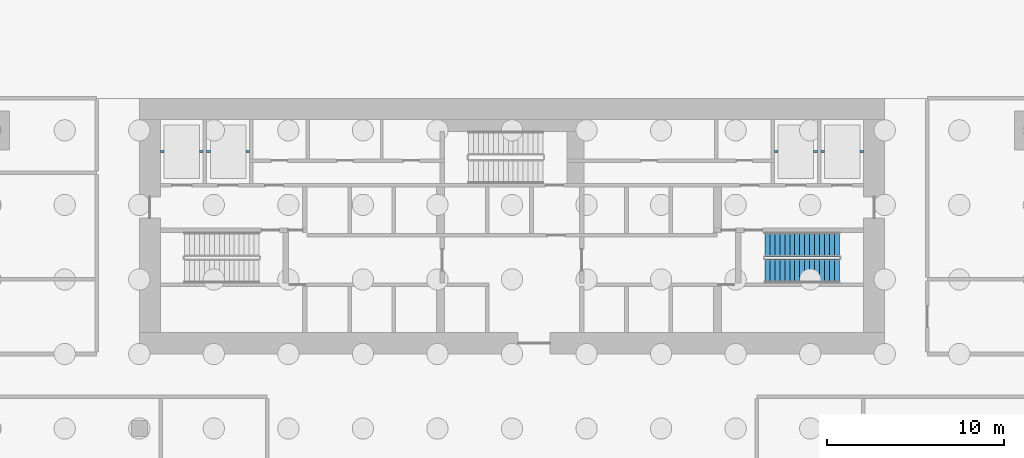
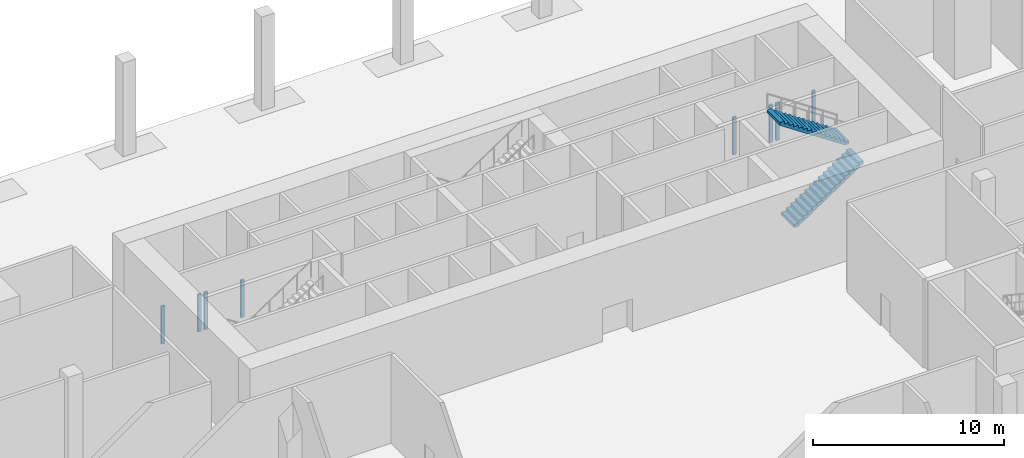
# One storey, part 12 of 16: 8 discrete accessories, 2 stair flights, 1 element without a shape of its own.
"""IFC4 building model written with IfcOpenShell, lengths in metres."""

from ifc_helpers import new_model, si_unit, direction, frame, origin, origin_2d, place, context, subcontext, project, spatial, polyline, rectangle, outline, extrude, material, type_object, element, aggregate, save


model = new_model("IFC4")

# Units and contexts
model_context = context("Model", 3, precision=1e-05, world=origin(), true_north=direction((0.0, 1.0)))
body_context = subcontext(model_context, "Body", "Model", "MODEL_VIEW")
ifc_project = project(units=[si_unit("LENGTHUNIT", "METRE"), si_unit("AREAUNIT", "SQUARE_METRE"), si_unit("VOLUMEUNIT", "CUBIC_METRE"), si_unit("PLANEANGLEUNIT", "RADIAN"), si_unit("MASSUNIT", "GRAM", prefix="KILO")], contexts=[model_context])

# Site, building, storey
site_placement = place(None, origin())
site = spatial("IfcSite", under=ifc_project, at=site_placement, CompositionType="ELEMENT")
building_placement = place(site_placement, origin())
building = spatial("IfcBuilding", under=site, at=building_placement, Name="Saffron Gate Tower", CompositionType="ELEMENT")
storey_placement = place(building_placement, frame((0.0, 0.0, -6.0)))
storey = spatial("IfcBuildingStorey", under=building, at=storey_placement, Name="B1", CompositionType="ELEMENT", Elevation=-6.0)

# Stair, stair flights
ifc_material = material(Name="Concrete C40", Category="concrete")
stair_type = type_object("IfcStairType", Name="ST2 Stair 1350 wide, 32 risers of 188", PredefinedType="HALF_TURN_STAIR", material=ifc_material)
stair_placement = place(storey_placement, origin())
stair = element("IfcStair", 1, at=stair_placement, inside=storey, type_object=stair_type, Name="B1 Exit stair B", PredefinedType="HALF_TURN_STAIR")
stair_flight_type = type_object("IfcStairFlightType", Name="SF2 Stair flight 1350 wide, riser 188 going 280", PredefinedType="STRAIGHT", material=ifc_material)
stair_flight_1_placement = place(storey_placement, frame((101.85009765625, 65.875, 0.0), z_axis=(0.0, 0.0, 1.0), x_axis=(1.0, 0.0, 0.0)))
stair_flight_1 = element("IfcStairFlight", 2, at=stair_flight_1_placement, type_object=stair_flight_type, Name="ST-B flight 1", NumberOfRisers=16, NumberOfTreads=15, PredefinedType="STRAIGHT", RiserHeight=0.1875, TreadLength=0.28, context=body_context, shape_type="SweptSolid", body=[
    extrude(outline(polyline([(0.0, 0.0), (0.0, 0.1875), (0.280029296875, 0.1875), (0.280029296875, 0.375), (0.56005859375, 0.375), (0.56005859375, 0.5625), (0.840087890625, 0.5625), (0.840087890625, 0.75), (1.1201171875, 0.75), (1.1201171875, 0.9375), (1.39990234375, 0.9375), (1.39990234375, 1.125), (1.679931640625, 1.125), (1.679931640625, 1.3125), (1.9599609375, 1.3125), (1.9599609375, 1.5), (2.239990234375, 1.5), (2.239990234375, 1.6875), (2.52001953125, 1.6875), (2.52001953125, 1.875), (2.800048828125, 1.875), (2.800048828125, 2.0625), (3.080078125, 2.0625), (3.080078125, 2.25), (3.360107421875, 2.25), (3.360107421875, 2.4375), (3.639892578125, 2.4375), (3.639892578125, 2.625), (3.919921875, 2.625), (3.919921875, 2.8125), (4.199951171875, 2.8125), (4.199951171875, 3.0), (4.199951171875, 2.632080078125), (0.26953125, 0.0), (0.0, 0.0)])), frame((0.0, 0.675048828125, 0.0), z_axis=(0.0, -1.0, 0.0), x_axis=(1.0, 0.0, 0.0)), (0.0, 0.0, 1.0), 1.35009765625),
])
stair_flight_2_placement = place(storey_placement, frame((106.050048828125, 67.375, 3.0), z_axis=(0.0, 0.0, 1.0), x_axis=(-1.0, 0.0, 0.0)))
stair_flight_2 = element("IfcStairFlight", 3, at=stair_flight_2_placement, type_object=stair_flight_type, Name="ST-B flight 2", NumberOfRisers=16, NumberOfTreads=15, PredefinedType="STRAIGHT", RiserHeight=0.1875, TreadLength=0.28, context=body_context, shape_type="SweptSolid", body=[
    extrude(outline(polyline([(0.0, 0.0), (0.0, 0.1875), (0.280029296875, 0.1875), (0.280029296875, 0.375), (0.56005859375, 0.375), (0.56005859375, 0.5625), (0.840087890625, 0.5625), (0.840087890625, 0.75), (1.1201171875, 0.75), (1.1201171875, 0.9375), (1.39990234375, 0.9375), (1.39990234375, 1.125), (1.679931640625, 1.125), (1.679931640625, 1.3125), (1.9599609375, 1.3125), (1.9599609375, 1.5), (2.239990234375, 1.5), (2.239990234375, 1.6875), (2.52001953125, 1.6875), (2.52001953125, 1.875), (2.800048828125, 1.875), (2.800048828125, 2.0625), (3.080078125, 2.0625), (3.080078125, 2.25), (3.360107421875, 2.25), (3.360107421875, 2.4375), (3.639892578125, 2.4375), (3.639892578125, 2.625), (3.919921875, 2.625), (3.919921875, 2.8125), (4.199951171875, 2.8125), (4.199951171875, 3.0), (4.199951171875, 2.632080078125), (0.26953125, 0.0), (0.0, 0.0)])), frame((0.0, 0.675048828125, 0.0), z_axis=(0.0, -1.0, 0.0), x_axis=(1.0, 0.0, 0.0)), (0.0, 0.0, 1.0), 1.35009765625),
])
aggregate(stair, [stair_flight_1, stair_flight_2])

# Discrete accessories
for number, where, z_axis, x_axis, name in (
    (4, (67.89990234375, 72.60009765625, 0.0), (0.0, 0.0, 1.0), (1.0, 0.0, 0.0), "FF1 guide rail bracket"),
    (5, (70.10009765625, 72.60009765625, 0.0), (0.0, 0.0, 1.0), (1.0, 0.0, 0.0), "FF1 guide rail bracket"),
    (6, (105.10009765625, 72.60009765625, 0.0), (0.0, 0.0, 1.0), (1.0, 0.0, 0.0), "FF2 guide rail bracket"),
    (7, (107.300048828125, 72.60009765625, 0.0), (0.0, 0.0, 1.0), (1.0, 0.0, 0.0), "FF2 guide rail bracket"),
    (8, (70.5, 72.60009765625, 0.0), (0.0, 0.0, 1.0), (1.0, 0.0, 0.0), "SV1 guide rail bracket"),
    (9, (72.699951171875, 72.60009765625, 0.0), (0.0, 0.0, 1.0), (1.0, 0.0, 0.0), "SV1 guide rail bracket"),
    (10, (102.5, 72.60009765625, 0.0), (0.0, 0.0, 1.0), (1.0, 0.0, 0.0), "SV2 guide rail bracket"),
    (11, (104.699951171875, 72.60009765625, 0.0), (0.0, 0.0, 1.0), (1.0, 0.0, 0.0), "SV2 guide rail bracket"),
):
    element("IfcDiscreteAccessory", number, at=place(storey_placement, frame(where, z_axis=z_axis, x_axis=x_axis)), inside=storey, Name=name, PredefinedType="BRACKET", context=body_context, shape_type="SweptSolid", body=[
        extrude(rectangle(XDim=0.199951171875, YDim=0.1201171875, at=origin_2d()), origin(), (0.0, 0.0, 1.0), 2.39990234375),
    ])

save(model, "model.ifc")
